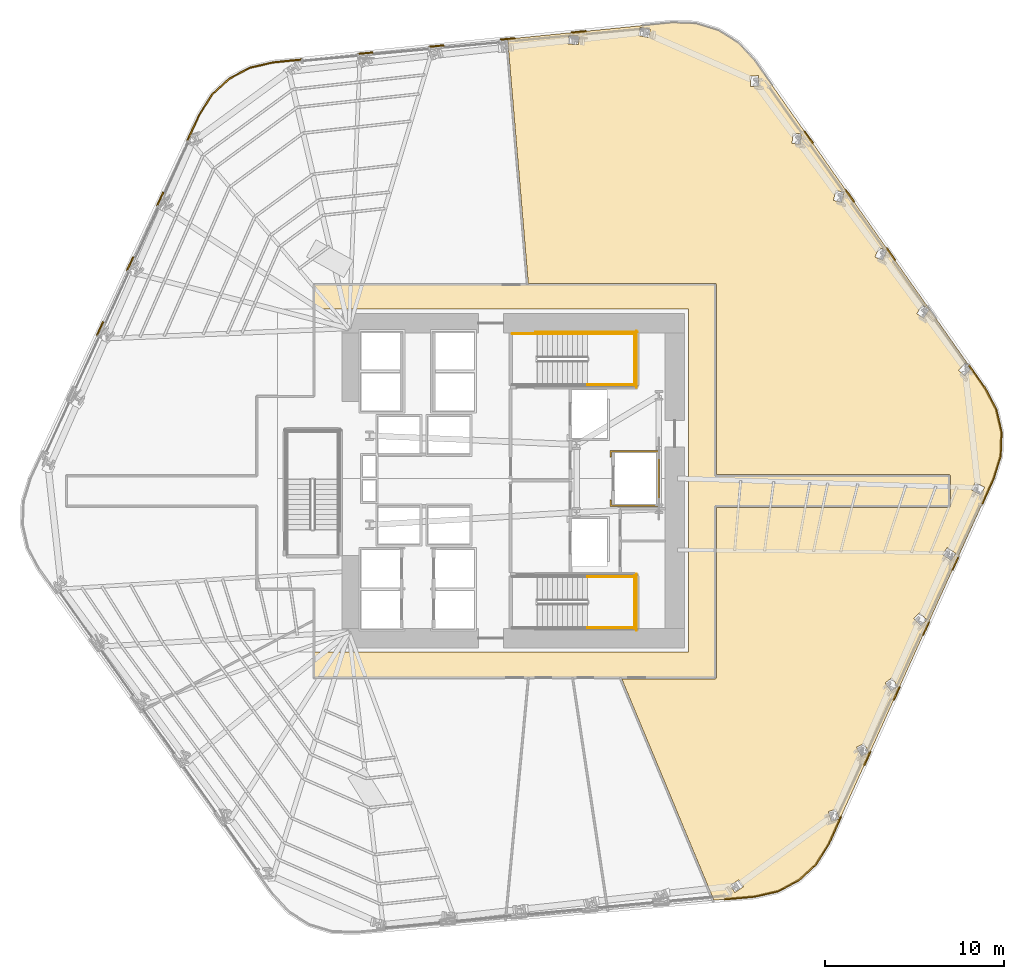
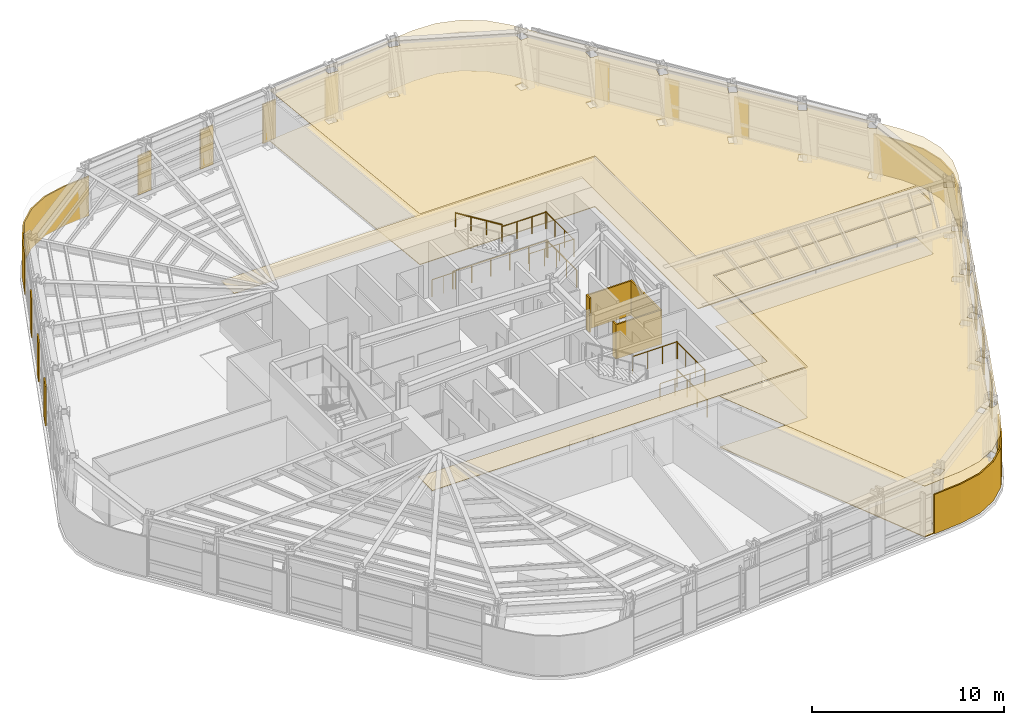
# One storey, part 14 of 16: 21 coverings, 11 railings.
"""IFC4 building model written with IfcOpenShell, lengths in metres."""

from ifc_helpers import new_model, si_unit, direction, frame, origin, origin_2d, place, context, subcontext, project, spatial, polyline, circle, outline, extrude, material, layer, layer_set, type_object, element, save


model = new_model("IFC4")

# Units and contexts
model_context = context("Model", 3, precision=1e-05, world=origin(), true_north=direction((0.0, 1.0)))
body_context = subcontext(model_context, "Body", "Model", "MODEL_VIEW")
ifc_project = project(units=[si_unit("LENGTHUNIT", "METRE"), si_unit("AREAUNIT", "SQUARE_METRE"), si_unit("VOLUMEUNIT", "CUBIC_METRE"), si_unit("PLANEANGLEUNIT", "RADIAN"), si_unit("MASSUNIT", "GRAM", prefix="KILO")], contexts=[model_context])

# Site, building, storey
site_placement = place(None, origin())
site = spatial("IfcSite", under=ifc_project, at=site_placement, CompositionType="ELEMENT")
building_placement = place(site_placement, origin())
building = spatial("IfcBuilding", under=site, at=building_placement, Name="Valkerne Bourse Tower", CompositionType="ELEMENT")
storey_placement = place(building_placement, frame((0.0, 0.0, 46.800048828125)))
storey = spatial("IfcBuildingStorey", under=building, at=storey_placement, Name="L11", CompositionType="ELEMENT", Elevation=46.800048828125)

# Coverings
ifc_material_1 = material(Name="Mineral Fiber Acoustic Ceiling Tile", Category="acoustic")
ifc_layer_1 = layer(ifc_material_1, 0.02490234375)
ifc_layer_set_1 = layer_set([ifc_layer_1], Name="Mineral Fiber Acoustic Ceiling Tile")
covering_type_1 = type_object("IfcCoveringType", Name="COV-CEIL-ACT", PredefinedType="CEILING", material=ifc_layer_set_1)
covering_1_placement = place(storey_placement, frame((0.0, 0.0, 3.22998046875)))
element("IfcCovering", 1, at=covering_1_placement, inside=storey, type_object=covering_type_1, Name="L11 Suspended Ceiling 07", PredefinedType="CEILING", context=body_context, shape_type="SweptSolid", body=[
    extrude(outline(polyline([(61.616455078125, 3.892822265625), (60.3212890625, 3.59619140625), (58.032958984375, 3.392333984375), (52.8759765625, 15.781005859375), (58.1005859375, 15.781005859375), (58.135009765625, 15.790283203125), (58.15966796875, 15.81494140625), (58.1689453125, 15.849609375), (58.1689453125, 25.381103515625), (71.2099609375, 25.381591796875), (71.2509765625, 25.403076171875), (71.268798828125, 25.446533203125), (71.265380859375, 27.1728515625), (71.24072265625, 27.205810546875), (71.20068359375, 27.218994140625), (58.1689453125, 27.218994140625), (58.1689453125, 37.850830078125), (58.151123046875, 37.896484375), (58.12890625, 37.91259765625), (58.100341796875, 37.9189453125), (47.642822265625, 37.9189453125), (46.485595703125, 51.60205078125), (55.6962890625, 52.522705078125), (57.024169921875, 52.47412109375), (58.285400390625, 52.086181640625), (59.403076171875, 51.385009765625), (60.3076171875, 50.41162109375), (72.333251953125, 33.295166015625), (72.11279296875, 33.48779296875), (71.7314453125, 33.056396484375), (71.732177734375, 33.052490234375), (72.0791015625, 32.749267578125), (72.434326171875, 33.15087890625), (73.2119140625, 32.04443359375), (73.833984375, 30.86962890625), (74.12841796875, 29.583251953125), (74.080078125, 28.2646484375), (73.689208984375, 26.993896484375), (64.455322265625, 6.5341796875), (63.749267578125, 5.40869140625), (62.78271484375, 4.510498046875), (61.616455078125, 3.892822265625)]), holes=[polyline([(50.476318359375, 51.75390625), (50.47265625, 51.75439453125), (49.8994140625, 51.78173828125), (49.876708984375, 51.319580078125), (49.88037109375, 51.319091796875), (50.45361328125, 51.291748046875), (50.476318359375, 51.75390625)]), polyline([(54.477783203125, 52.136474609375), (54.474365234375, 52.137451171875), (53.91162109375, 52.249755859375), (53.82080078125, 51.796142578125), (53.82421875, 51.794921875), (54.386962890625, 51.6826171875), (54.477783203125, 52.136474609375)]), polyline([(59.206787109375, 3.829833984375), (59.68310546875, 4.1494140625), (59.42578125, 4.533935546875), (59.422607421875, 4.531982421875), (58.946044921875, 4.21240234375), (59.20361328125, 3.827880859375), (59.206787109375, 3.829833984375)]), polyline([(65.056396484375, 7.951416015625), (65.059326171875, 7.953857421875), (64.87353515625, 8.49951171875), (64.43701171875, 8.35302734375), (64.43408203125, 8.350341796875), (64.6201171875, 7.8046875), (65.056396484375, 7.951416015625)]), polyline([(66.69970703125, 11.657958984375), (66.434814453125, 12.169921875), (66.02490234375, 11.959716796875), (66.022705078125, 11.956787109375), (66.28759765625, 11.445068359375), (66.697509765625, 11.655029296875), (66.69970703125, 11.657958984375)]), polyline([(68.332275390625, 15.366455078125), (68.333984375, 15.369384765625), (67.990234375, 15.832275390625), (67.619140625, 15.55908203125), (67.617431640625, 15.555908203125), (67.961181640625, 15.093017578125), (68.332275390625, 15.366455078125)]), polyline([(69.957763671875, 19.081787109375), (69.958984375, 19.085205078125), (69.54345703125, 19.48486328125), (69.22265625, 19.154052734375), (69.2216796875, 19.150634765625), (69.63720703125, 18.7509765625), (69.957763671875, 19.081787109375)]), polyline([(71.573974609375, 22.80029296875), (71.099609375, 23.127685546875), (70.836181640625, 22.75), (70.835693359375, 22.746337890625), (71.309814453125, 22.418701171875), (71.5732421875, 22.796630859375), (71.573974609375, 22.80029296875)]), polyline([(73.18017578125, 26.506591796875), (73.18017578125, 26.51025390625), (72.662353515625, 26.763427734375), (72.458251953125, 26.3505859375), (72.458251953125, 26.3466796875), (72.97607421875, 26.09375), (73.18017578125, 26.506591796875)]), polyline([(70.087890625, 36.46337890625), (69.699462890625, 36.7119140625), (69.386474609375, 36.228515625), (69.3876953125, 36.22509765625), (69.776123046875, 35.9765625), (70.089111328125, 36.460205078125), (70.087890625, 36.46337890625)]), polyline([(67.70751953125, 39.740966796875), (67.705810546875, 39.743896484375), (67.282470703125, 39.927001953125), (67.051513671875, 39.399169921875), (67.05322265625, 39.396240234375), (67.4765625, 39.213134765625), (67.70751953125, 39.740966796875)]), polyline([(65.31640625, 43.0185546875), (65.314208984375, 43.021240234375), (64.866455078125, 43.1318359375), (64.725830078125, 42.5732421875), (64.72802734375, 42.570556640625), (65.17578125, 42.4599609375), (65.31640625, 43.0185546875)]), polyline([(62.915771484375, 46.291259765625), (62.456298828125, 46.328369140625), (62.406982421875, 45.75439453125), (62.409912109375, 45.752197265625), (62.869384765625, 45.715087890625), (62.91845703125, 46.2890625), (62.915771484375, 46.291259765625)]), polyline([(60.554443359375, 48.97509765625), (60.517578125, 49.5498046875), (60.514404296875, 49.552001953125), (60.0546875, 49.52001953125), (60.09130859375, 48.9453125), (60.094482421875, 48.943115234375), (60.554443359375, 48.97509765625)])]), origin(), (0.0, 0.0, 1.0), 0.02490234375),
])
ifc_material_2 = material(Name="Bronze Anodised Aluminium AA 6063-T6", Category="aluminium")
ifc_layer_2 = layer(ifc_material_2, 0.030029296875)
ifc_layer_set_2 = layer_set([ifc_layer_2], Name="Bronze Anodised Aluminium AA 6063-T6")
covering_type_2 = type_object("IfcCoveringType", Name="COV-CEIL-METAL", PredefinedType="CEILING", material=ifc_layer_set_2)
covering_2_placement = place(storey_placement, frame((0.0, 0.0, 3.22998046875)))
element("IfcCovering", 2, at=covering_2_placement, inside=storey, type_object=covering_type_2, Name="L11 Suspended Ceiling 01", PredefinedType="CEILING", context=body_context, shape_type="SweptSolid", body=[
    extrude(outline(polyline([(71.196044921875, 27.14599609375), (71.196044921875, 25.4541015625), (58.095947265625, 25.4541015625), (58.095947265625, 15.85400390625), (35.654052734375, 15.85400390625), (35.654052734375, 17.300048828125), (56.60009765625, 17.300048828125), (56.60009765625, 36.5), (35.654052734375, 36.5), (35.654052734375, 37.845947265625), (58.095947265625, 37.845947265625), (58.095947265625, 27.14599609375), (71.196044921875, 27.14599609375)])), origin(), (0.0, 0.0, 1.0), 0.02490234375),
])
ifc_layer_3 = layer(ifc_material_2, 0.06005859375)
ifc_layer_set_3 = layer_set([ifc_layer_3], Name="Bronze Anodised Aluminium AA 6063-T6")
covering_type_3 = type_object("IfcCoveringType", Name="COV-CRN-ALUM", PredefinedType="CLADDING", material=ifc_layer_set_3)
covering_3_placement = place(storey_placement, origin())
element("IfcCovering", 3, at=covering_3_placement, inside=storey, type_object=covering_type_3, Name="L11 Wind-Shaped Corner Aluminium Cladding 01", PredefinedType="CLADDING", context=body_context, shape_type="SweptSolid", body=[
    extrude(outline(polyline([(63.783447265625, 5.38037109375), (62.808349609375, 4.47412109375), (61.6318359375, 3.851318359375), (60.328125, 3.552734375), (58.643310546875, 3.402587890625), (58.6357421875, 3.482421875), (60.315673828125, 3.6318359375), (61.603759765625, 3.927001953125), (62.761474609375, 4.5400390625), (63.72119140625, 5.431640625), (64.423583984375, 6.55126953125), (65.1171875, 8.08837890625), (65.18994140625, 8.05517578125), (64.494140625, 6.513427734375), (63.783447265625, 5.38037109375)])), origin(), (0.0, 0.0, 1.0), 2.5),
])
covering_4_placement = place(storey_placement, origin())
element("IfcCovering", 4, at=covering_4_placement, inside=storey, type_object=covering_type_3, Name="L11 Wind-Shaped Corner Aluminium Cladding 13", PredefinedType="CLADDING", context=body_context, shape_type="SweptSolid", body=[
    extrude(outline(polyline([(23.80859375, 35.790771484375), (23.88134765625, 35.757568359375), (23.527587890625, 34.99560546875), (23.45458984375, 35.02880859375), (23.80859375, 35.790771484375)])), origin(), (0.0, 0.0, 1.0), 2.5),
])
covering_5_placement = place(storey_placement, origin())
element("IfcCovering", 5, at=covering_5_placement, inside=storey, type_object=covering_type_3, Name="L11 Wind-Shaped Corner Aluminium Cladding 14", PredefinedType="CLADDING", context=body_context, shape_type="SweptSolid", body=[
    extrude(outline(polyline([(25.49169921875, 39.4150390625), (25.564208984375, 39.3818359375), (25.210693359375, 38.6201171875), (25.1376953125, 38.6533203125), (25.49169921875, 39.4150390625)])), origin(), (0.0, 0.0, 1.0), 2.5),
])
covering_6_placement = place(storey_placement, origin())
element("IfcCovering", 6, at=covering_6_placement, inside=storey, type_object=covering_type_3, Name="L11 Wind-Shaped Corner Aluminium Cladding 15", PredefinedType="CLADDING", context=body_context, shape_type="SweptSolid", body=[
    extrude(outline(polyline([(27.1748046875, 43.039306640625), (27.247314453125, 43.006103515625), (26.8935546875, 42.244384765625), (26.82080078125, 42.277587890625), (27.1748046875, 43.039306640625)])), origin(), (0.0, 0.0, 1.0), 2.5),
])
covering_7_placement = place(storey_placement, origin())
element("IfcCovering", 7, at=covering_7_placement, inside=storey, type_object=covering_type_3, Name="L11 Wind-Shaped Corner Aluminium Cladding 16", PredefinedType="CLADDING", context=body_context, shape_type="SweptSolid", body=[
    extrude(outline(polyline([(29.186767578125, 47.3720703125), (29.897705078125, 48.505615234375), (30.872802734375, 49.41162109375), (32.04931640625, 50.03466796875), (33.353515625, 50.333251953125), (34.96630859375, 50.49462890625), (34.973876953125, 50.414794921875), (33.366455078125, 50.254150390625), (32.077392578125, 49.958984375), (30.919677734375, 49.345947265625), (29.9599609375, 48.4541015625), (29.257080078125, 47.333740234375), (28.57666015625, 45.86865234375), (28.50390625, 45.90185546875), (29.186767578125, 47.3720703125)])), origin(), (0.0, 0.0, 1.0), 2.5),
])
covering_8_placement = place(storey_placement, origin())
element("IfcCovering", 8, at=covering_8_placement, inside=storey, type_object=covering_type_3, Name="L11 Wind-Shaped Corner Aluminium Cladding 17", PredefinedType="CLADDING", context=body_context, shape_type="SweptSolid", body=[
    extrude(outline(polyline([(38.942626953125, 50.89208984375), (38.9501953125, 50.8125), (38.114501953125, 50.72900390625), (38.10693359375, 50.80859375), (38.942626953125, 50.89208984375)])), origin(), (0.0, 0.0, 1.0), 2.5),
])
covering_9_placement = place(storey_placement, origin())
element("IfcCovering", 9, at=covering_9_placement, inside=storey, type_object=covering_type_3, Name="L11 Wind-Shaped Corner Aluminium Cladding 18", PredefinedType="CLADDING", context=body_context, shape_type="SweptSolid", body=[
    extrude(outline(polyline([(42.918701171875, 51.28955078125), (42.926513671875, 51.2099609375), (42.090576171875, 51.12646484375), (42.0830078125, 51.2060546875), (42.918701171875, 51.28955078125)])), origin(), (0.0, 0.0, 1.0), 2.5),
])
covering_10_placement = place(storey_placement, origin())
element("IfcCovering", 10, at=covering_10_placement, inside=storey, type_object=covering_type_3, Name="L11 Wind-Shaped Corner Aluminium Cladding 19", PredefinedType="CLADDING", context=body_context, shape_type="SweptSolid", body=[
    extrude(outline(polyline([(46.89501953125, 51.68701171875), (46.902587890625, 51.607421875), (46.06689453125, 51.52392578125), (46.059326171875, 51.603515625), (46.89501953125, 51.68701171875)])), origin(), (0.0, 0.0, 1.0), 2.5),
])
covering_11_placement = place(storey_placement, origin())
element("IfcCovering", 11, at=covering_11_placement, inside=storey, type_object=covering_type_3, Name="L11 Wind-Shaped Corner Aluminium Cladding 20", PredefinedType="CLADDING", context=body_context, shape_type="SweptSolid", body=[
    extrude(outline(polyline([(50.871337890625, 52.084716796875), (50.87890625, 52.0048828125), (50.043212890625, 51.92138671875), (50.03564453125, 52.001220703125), (50.871337890625, 52.084716796875)])), origin(), (0.0, 0.0, 1.0), 2.5),
])
covering_12_placement = place(storey_placement, origin())
element("IfcCovering", 12, at=covering_12_placement, inside=storey, type_object=covering_type_3, Name="L11 Wind-Shaped Corner Aluminium Cladding 22", PredefinedType="CLADDING", context=body_context, shape_type="SweptSolid", body=[
    extrude(outline(polyline([(63.611572265625, 45.78564453125), (63.54638671875, 45.7392578125), (63.0634765625, 46.426513671875), (63.128662109375, 46.472900390625), (63.611572265625, 45.78564453125)])), origin(), (0.0, 0.0, 1.0), 2.5),
])
covering_13_placement = place(storey_placement, origin())
element("IfcCovering", 13, at=covering_13_placement, inside=storey, type_object=covering_type_3, Name="L11 Wind-Shaped Corner Aluminium Cladding 23", PredefinedType="CLADDING", context=body_context, shape_type="SweptSolid", body=[
    extrude(outline(polyline([(65.90869140625, 42.515869140625), (65.843505859375, 42.469482421875), (65.360595703125, 43.15673828125), (65.42578125, 43.203125), (65.90869140625, 42.515869140625)])), origin(), (0.0, 0.0, 1.0), 2.5),
])
covering_14_placement = place(storey_placement, origin())
element("IfcCovering", 14, at=covering_14_placement, inside=storey, type_object=covering_type_3, Name="L11 Wind-Shaped Corner Aluminium Cladding 24", PredefinedType="CLADDING", context=body_context, shape_type="SweptSolid", body=[
    extrude(outline(polyline([(68.205810546875, 39.24609375), (68.140625, 39.19970703125), (67.65771484375, 39.88720703125), (67.722900390625, 39.933349609375), (68.205810546875, 39.24609375)])), origin(), (0.0, 0.0, 1.0), 2.5),
])
covering_15_placement = place(storey_placement, origin())
element("IfcCovering", 15, at=covering_15_placement, inside=storey, type_object=covering_type_3, Name="L11 Wind-Shaped Corner Aluminium Cladding 26", PredefinedType="CLADDING", context=body_context, shape_type="SweptSolid", body=[
    extrude(outline(polyline([(73.24951171875, 32.067626953125), (73.87548828125, 30.885009765625), (74.172607421875, 29.58740234375), (74.123779296875, 28.257080078125), (73.73046875, 26.978271484375), (73.063720703125, 25.5009765625), (72.990966796875, 25.5341796875), (73.655517578125, 27.006591796875), (74.044189453125, 28.270751953125), (74.09228515625, 29.579833984375), (73.7998046875, 30.85693359375), (73.180908203125, 32.025634765625), (72.252197265625, 33.34765625), (72.3173828125, 33.393798828125), (73.24951171875, 32.067626953125)])), origin(), (0.0, 0.0, 1.0), 2.5),
])
covering_16_placement = place(storey_placement, origin())
element("IfcCovering", 16, at=covering_16_placement, inside=storey, type_object=covering_type_3, Name="L11 Wind-Shaped Corner Aluminium Cladding 27", PredefinedType="CLADDING", context=body_context, shape_type="SweptSolid", body=[
    extrude(outline(polyline([(71.419921875, 21.858642578125), (71.34716796875, 21.891845703125), (71.692626953125, 22.657470703125), (71.765380859375, 22.624267578125), (71.419921875, 21.858642578125)])), origin(), (0.0, 0.0, 1.0), 2.5),
])
covering_17_placement = place(storey_placement, origin())
element("IfcCovering", 17, at=covering_17_placement, inside=storey, type_object=covering_type_3, Name="L11 Wind-Shaped Corner Aluminium Cladding 28", PredefinedType="CLADDING", context=body_context, shape_type="SweptSolid", body=[
    extrude(outline(polyline([(69.77587890625, 18.21630859375), (69.703125, 18.24951171875), (70.048828125, 19.01513671875), (70.12158203125, 18.98193359375), (69.77587890625, 18.21630859375)])), origin(), (0.0, 0.0, 1.0), 2.5),
])
covering_18_placement = place(storey_placement, origin())
element("IfcCovering", 18, at=covering_18_placement, inside=storey, type_object=covering_type_3, Name="L11 Wind-Shaped Corner Aluminium Cladding 29", PredefinedType="CLADDING", context=body_context, shape_type="SweptSolid", body=[
    extrude(outline(polyline([(68.132080078125, 14.573974609375), (68.059326171875, 14.607421875), (68.40478515625, 15.372802734375), (68.477783203125, 15.339599609375), (68.132080078125, 14.573974609375)])), origin(), (0.0, 0.0, 1.0), 2.5),
])
covering_19_placement = place(storey_placement, origin())
element("IfcCovering", 19, at=covering_19_placement, inside=storey, type_object=covering_type_3, Name="L11 Wind-Shaped Corner Aluminium Cladding 30", PredefinedType="CLADDING", context=body_context, shape_type="SweptSolid", body=[
    extrude(outline(polyline([(66.48828125, 10.931884765625), (66.41552734375, 10.965087890625), (66.760986328125, 11.730712890625), (66.833740234375, 11.697509765625), (66.48828125, 10.931884765625)])), origin(), (0.0, 0.0, 1.0), 2.5),
])
ifc_material_3 = material(Name="Galvanised Painted Steel", Category="steel")
ifc_layer_4 = layer(ifc_material_3, 0.044921875)
ifc_layer_set_4 = layer_set([ifc_layer_4], Name="Galvanised Painted Steel")
covering_type_4 = type_object("IfcCoveringType", Name="COV-FLR-RAF", PredefinedType="FLOORING", material=ifc_layer_set_4)
covering_20_placement = place(storey_placement, origin())
element("IfcCovering", 20, at=covering_20_placement, inside=storey, type_object=covering_type_4, Name="L11 Floor Finish 07", PredefinedType="FLOORING", context=body_context, shape_type="SweptSolid", body=[
    extrude(outline(polyline([(61.616455078125, 3.892822265625), (60.3212890625, 3.59619140625), (58.032958984375, 3.392333984375), (52.8759765625, 15.781005859375), (58.1005859375, 15.781005859375), (58.135009765625, 15.790283203125), (58.15966796875, 15.81494140625), (58.1689453125, 15.849609375), (58.1689453125, 25.381103515625), (71.2099609375, 25.381591796875), (71.2509765625, 25.403076171875), (71.268798828125, 25.446533203125), (71.265380859375, 27.1728515625), (71.24072265625, 27.205810546875), (71.20068359375, 27.218994140625), (58.1689453125, 27.218994140625), (58.1689453125, 37.850830078125), (58.151123046875, 37.896484375), (58.12890625, 37.91259765625), (58.100341796875, 37.9189453125), (47.642822265625, 37.9189453125), (46.485595703125, 51.60205078125), (55.6962890625, 52.522705078125), (57.024169921875, 52.47412109375), (58.285400390625, 52.086181640625), (59.403076171875, 51.385009765625), (60.3076171875, 50.41162109375), (72.333251953125, 33.295166015625), (72.11279296875, 33.48779296875), (71.7314453125, 33.056396484375), (71.732177734375, 33.052490234375), (72.0791015625, 32.749267578125), (72.434326171875, 33.15087890625), (73.2119140625, 32.04443359375), (73.833984375, 30.86962890625), (74.12841796875, 29.583251953125), (74.080078125, 28.2646484375), (73.689208984375, 26.993896484375), (64.455322265625, 6.5341796875), (63.749267578125, 5.40869140625), (62.78271484375, 4.510498046875), (61.616455078125, 3.892822265625)]), holes=[polyline([(50.476318359375, 51.75390625), (50.47265625, 51.75439453125), (49.8994140625, 51.78173828125), (49.876708984375, 51.319580078125), (49.88037109375, 51.319091796875), (50.45361328125, 51.291748046875), (50.476318359375, 51.75390625)]), polyline([(54.477783203125, 52.136474609375), (54.474365234375, 52.137451171875), (53.91162109375, 52.249755859375), (53.82080078125, 51.796142578125), (53.82421875, 51.794921875), (54.386962890625, 51.6826171875), (54.477783203125, 52.136474609375)]), polyline([(59.206787109375, 3.829833984375), (59.68310546875, 4.1494140625), (59.42578125, 4.533935546875), (59.422607421875, 4.531982421875), (58.946044921875, 4.21240234375), (59.20361328125, 3.827880859375), (59.206787109375, 3.829833984375)]), polyline([(65.056396484375, 7.951416015625), (65.059326171875, 7.953857421875), (64.87353515625, 8.49951171875), (64.43701171875, 8.35302734375), (64.43408203125, 8.350341796875), (64.6201171875, 7.8046875), (65.056396484375, 7.951416015625)]), polyline([(66.69970703125, 11.657958984375), (66.434814453125, 12.169921875), (66.02490234375, 11.959716796875), (66.022705078125, 11.956787109375), (66.28759765625, 11.445068359375), (66.697509765625, 11.655029296875), (66.69970703125, 11.657958984375)]), polyline([(68.332275390625, 15.366455078125), (68.333984375, 15.369384765625), (67.990234375, 15.832275390625), (67.619140625, 15.55908203125), (67.617431640625, 15.555908203125), (67.961181640625, 15.093017578125), (68.332275390625, 15.366455078125)]), polyline([(69.957763671875, 19.081787109375), (69.958984375, 19.085205078125), (69.54345703125, 19.48486328125), (69.22265625, 19.154052734375), (69.2216796875, 19.150634765625), (69.63720703125, 18.7509765625), (69.957763671875, 19.081787109375)]), polyline([(71.573974609375, 22.80029296875), (71.099609375, 23.127685546875), (70.836181640625, 22.75), (70.835693359375, 22.746337890625), (71.309814453125, 22.418701171875), (71.5732421875, 22.796630859375), (71.573974609375, 22.80029296875)]), polyline([(73.18017578125, 26.506591796875), (73.18017578125, 26.51025390625), (72.662353515625, 26.763427734375), (72.458251953125, 26.3505859375), (72.458251953125, 26.3466796875), (72.97607421875, 26.09375), (73.18017578125, 26.506591796875)]), polyline([(70.087890625, 36.46337890625), (69.699462890625, 36.7119140625), (69.386474609375, 36.228515625), (69.3876953125, 36.22509765625), (69.776123046875, 35.9765625), (70.089111328125, 36.460205078125), (70.087890625, 36.46337890625)]), polyline([(67.70751953125, 39.740966796875), (67.705810546875, 39.743896484375), (67.282470703125, 39.927001953125), (67.051513671875, 39.399169921875), (67.05322265625, 39.396240234375), (67.4765625, 39.213134765625), (67.70751953125, 39.740966796875)]), polyline([(65.31640625, 43.0185546875), (65.314208984375, 43.021240234375), (64.866455078125, 43.1318359375), (64.725830078125, 42.5732421875), (64.72802734375, 42.570556640625), (65.17578125, 42.4599609375), (65.31640625, 43.0185546875)]), polyline([(62.915771484375, 46.291259765625), (62.456298828125, 46.328369140625), (62.406982421875, 45.75439453125), (62.409912109375, 45.752197265625), (62.869384765625, 45.715087890625), (62.91845703125, 46.2890625), (62.915771484375, 46.291259765625)]), polyline([(60.554443359375, 48.97509765625), (60.517578125, 49.5498046875), (60.514404296875, 49.552001953125), (60.0546875, 49.52001953125), (60.09130859375, 48.9453125), (60.094482421875, 48.943115234375), (60.554443359375, 48.97509765625)])]), origin(), (0.0, 0.0, 1.0), 0.044921875),
])
ifc_material_4 = material(Name="Gypsum Shaftwall Liner Board", Category="gypsum")
ifc_layer_5 = layer(ifc_material_4, 0.080078125)
ifc_layer_set_5 = layer_set([ifc_layer_5], Name="Gypsum Shaftwall Liner Board")
covering_type_5 = type_object("IfcCoveringType", Name="COV-SHF-CLAD", PredefinedType="CLADDING", material=ifc_layer_set_5)
covering_21_placement = place(storey_placement, origin())
element("IfcCovering", 21, at=covering_21_placement, inside=storey, type_object=covering_type_5, Name="L11 Hoistway & Riser Shaftwall Liner 08", PredefinedType="CLADDING", context=body_context, shape_type="SweptSolid", body=[
    extrude(outline(polyline([(54.97998046875, 25.419921875), (52.219970703125, 25.419921875), (52.219970703125, 25.81787109375), (52.227783203125, 25.814208984375), (52.269287109375, 25.79931640625), (52.31005859375, 25.789306640625), (52.31005859375, 25.510009765625), (54.889892578125, 25.510009765625), (54.889892578125, 28.489990234375), (52.31005859375, 28.489990234375), (52.31005859375, 28.210693359375), (52.269287109375, 28.20068359375), (52.227783203125, 28.185791015625), (52.219970703125, 28.18212890625), (52.219970703125, 28.580078125), (54.97998046875, 28.580078125), (54.97998046875, 25.419921875)])), origin(), (0.0, 0.0, 1.0), 2.179931640625),
])

# Railings
railing_type_1 = type_object("IfcRailingType", Name="RLG-ST-GUARD-1120", PredefinedType="GUARDRAIL", material=ifc_material_3)
for number, where, name in (
    (22, (50.949951171875, 18.64990234375, 1.89990234375), "L11 ST-1 stair guard 3"),
    (23, (50.949951171875, 21.5, 1.89990234375), "L11 ST-1 stair guard 4"),
):
    element("IfcRailing", number, at=place(storey_placement, frame(where)), inside=storey, type_object=railing_type_1, Name=name, PredefinedType="GUARDRAIL", context=body_context, shape_type="SweptSolid", body=[
        extrude(circle(Radius=0.02392578125, at=origin_2d()), frame((0.0, 0.0, 1.09619140625), z_axis=(1.0, 0.0, 0.0), x_axis=(0.0, 1.0, 0.0)), (0.0, 0.0, 1.0), 2.699951171875),
        extrude(circle(Radius=0.02099609375, at=origin_2d()), origin(), (0.0, 0.0, 1.0), 1.072021484375),
        extrude(circle(Radius=0.02099609375, at=origin_2d()), frame((0.89990234375, 0.0, 0.0)), (0.0, 0.0, 1.0), 1.072021484375),
        extrude(circle(Radius=0.02099609375, at=origin_2d()), frame((1.800048828125, 0.0, 0.0)), (0.0, 0.0, 1.0), 1.072021484375),
        extrude(circle(Radius=0.02099609375, at=origin_2d()), frame((2.699951171875, 0.0, 0.0)), (0.0, 0.0, 1.0), 1.072021484375),
    ])
railing_1_placement = place(storey_placement, frame((53.60009765625, 18.60009765625, 1.89990234375)))
element("IfcRailing", 24, at=railing_1_placement, inside=storey, type_object=railing_type_1, Name="L11 ST-1 stair guard 5", PredefinedType="GUARDRAIL", context=body_context, shape_type="SweptSolid", body=[
    extrude(circle(Radius=0.02392578125, at=origin_2d()), frame((0.0, 0.0, 1.09619140625), z_axis=(0.0, 1.0, 0.0), x_axis=(-1.0, 0.0, 0.0)), (0.0, 0.0, 1.0), 2.949951171875),
    extrude(circle(Radius=0.02099609375, at=origin_2d()), origin(), (0.0, 0.0, 1.0), 1.072021484375),
    extrude(circle(Radius=0.02099609375, at=origin_2d()), frame((0.0, 0.9833984375, 0.0)), (0.0, 0.0, 1.0), 1.072021484375),
    extrude(circle(Radius=0.02099609375, at=origin_2d()), frame((0.0, 1.966552734375, 0.0)), (0.0, 0.0, 1.0), 1.072021484375),
    extrude(circle(Radius=0.02099609375, at=origin_2d()), frame((0.0, 2.949951171875, 0.0)), (0.0, 0.0, 1.0), 1.072021484375),
])
railing_2_placement = place(storey_placement, frame((53.699951171875, 18.5, 0.0)))
element("IfcRailing", 25, at=railing_2_placement, inside=storey, type_object=railing_type_1, Name="L11 ST-1 stair guard 12", PredefinedType="GUARDRAIL", context=body_context, shape_type="SweptSolid", body=[
    extrude(circle(Radius=0.02392578125, at=origin_2d()), frame((0.0, 0.0, 1.09619140625), z_axis=(0.0, 1.0, 0.0), x_axis=(-1.0, 0.0, 0.0)), (0.0, 0.0, 1.0), 3.14990234375),
    extrude(circle(Radius=0.02099609375, at=origin_2d()), origin(), (0.0, 0.0, 1.0), 1.072021484375),
    extrude(circle(Radius=0.02099609375, at=origin_2d()), frame((0.0, 1.050048828125, 0.0)), (0.0, 0.0, 1.0), 1.072021484375),
    extrude(circle(Radius=0.02099609375, at=origin_2d()), frame((0.0, 2.099853515625, 0.0)), (0.0, 0.0, 1.0), 1.072021484375),
    extrude(circle(Radius=0.02099609375, at=origin_2d()), frame((0.0, 3.14990234375, 0.0)), (0.0, 0.0, 1.0), 1.072021484375),
])
for number, where, name in (
    (26, (50.949951171875, 32.25, 1.89990234375), "L11 ST-2 stair guard 3"),
    (27, (50.949951171875, 35.10009765625, 1.89990234375), "L11 ST-2 stair guard 4"),
):
    element("IfcRailing", number, at=place(storey_placement, frame(where)), inside=storey, type_object=railing_type_1, Name=name, PredefinedType="GUARDRAIL", context=body_context, shape_type="SweptSolid", body=[
        extrude(circle(Radius=0.02392578125, at=origin_2d()), frame((0.0, 0.0, 1.09619140625), z_axis=(1.0, 0.0, 0.0), x_axis=(0.0, 1.0, 0.0)), (0.0, 0.0, 1.0), 2.699951171875),
        extrude(circle(Radius=0.02099609375, at=origin_2d()), origin(), (0.0, 0.0, 1.0), 1.072021484375),
        extrude(circle(Radius=0.02099609375, at=origin_2d()), frame((0.89990234375, 0.0, 0.0)), (0.0, 0.0, 1.0), 1.072021484375),
        extrude(circle(Radius=0.02099609375, at=origin_2d()), frame((1.800048828125, 0.0, 0.0)), (0.0, 0.0, 1.0), 1.072021484375),
        extrude(circle(Radius=0.02099609375, at=origin_2d()), frame((2.699951171875, 0.0, 0.0)), (0.0, 0.0, 1.0), 1.072021484375),
    ])
railing_3_placement = place(storey_placement, frame((53.60009765625, 32.199951171875, 1.89990234375)))
element("IfcRailing", 28, at=railing_3_placement, inside=storey, type_object=railing_type_1, Name="L11 ST-2 stair guard 5", PredefinedType="GUARDRAIL", context=body_context, shape_type="SweptSolid", body=[
    extrude(circle(Radius=0.02392578125, at=origin_2d()), frame((0.0, 0.0, 1.09619140625), z_axis=(0.0, 1.0, 0.0), x_axis=(-1.0, 0.0, 0.0)), (0.0, 0.0, 1.0), 2.949951171875),
    extrude(circle(Radius=0.02099609375, at=origin_2d()), origin(), (0.0, 0.0, 1.0), 1.072021484375),
    extrude(circle(Radius=0.02099609375, at=origin_2d()), frame((0.0, 0.9833984375, 0.0)), (0.0, 0.0, 1.0), 1.072021484375),
    extrude(circle(Radius=0.02099609375, at=origin_2d()), frame((0.0, 1.966552734375, 0.0)), (0.0, 0.0, 1.0), 1.072021484375),
    extrude(circle(Radius=0.02099609375, at=origin_2d()), frame((0.0, 2.949951171875, 0.0)), (0.0, 0.0, 1.0), 1.072021484375),
])
railing_4_placement = place(storey_placement, frame((46.75, 35.10009765625, 0.0)))
element("IfcRailing", 29, at=railing_4_placement, inside=storey, type_object=railing_type_1, Name="L11 ST-2 stair guard 9", PredefinedType="GUARDRAIL", context=body_context, shape_type="SweptSolid", body=[
    extrude(circle(Radius=0.02392578125, at=origin_2d()), frame((0.0, 0.0, 1.09619140625), z_axis=(1.0, 0.0, 0.0), x_axis=(0.0, 1.0, 0.0)), (0.0, 0.0, 1.0), 1.39990234375),
    extrude(circle(Radius=0.02099609375, at=origin_2d()), origin(), (0.0, 0.0, 1.0), 1.072021484375),
    extrude(circle(Radius=0.02099609375, at=origin_2d()), frame((0.699951171875, 0.0, 0.0)), (0.0, 0.0, 1.0), 1.072021484375),
    extrude(circle(Radius=0.02099609375, at=origin_2d()), frame((1.39990234375, 0.0, 0.0)), (0.0, 0.0, 1.0), 1.072021484375),
])
railing_5_placement = place(storey_placement, frame((48.050048828125, 35.199951171875, 0.0)))
element("IfcRailing", 30, at=railing_5_placement, inside=storey, type_object=railing_type_1, Name="L11 ST-2 stair guard 11", PredefinedType="GUARDRAIL", context=body_context, shape_type="SweptSolid", body=[
    extrude(circle(Radius=0.02392578125, at=origin_2d()), frame((0.0, 0.0, 1.09619140625), z_axis=(1.0, 0.0, 0.0), x_axis=(0.0, 1.0, 0.0)), (0.0, 0.0, 1.0), 5.699951171875),
    extrude(circle(Radius=0.02099609375, at=origin_2d()), origin(), (0.0, 0.0, 1.0), 1.072021484375),
    extrude(circle(Radius=0.02099609375, at=origin_2d()), frame((1.139892578125, 0.0, 0.0)), (0.0, 0.0, 1.0), 1.072021484375),
    extrude(circle(Radius=0.02099609375, at=origin_2d()), frame((2.280029296875, 0.0, 0.0)), (0.0, 0.0, 1.0), 1.072021484375),
    extrude(circle(Radius=0.02099609375, at=origin_2d()), frame((3.419921875, 0.0, 0.0)), (0.0, 0.0, 1.0), 1.072021484375),
    extrude(circle(Radius=0.02099609375, at=origin_2d()), frame((4.56005859375, 0.0, 0.0)), (0.0, 0.0, 1.0), 1.072021484375),
    extrude(circle(Radius=0.02099609375, at=origin_2d()), frame((5.699951171875, 0.0, 0.0)), (0.0, 0.0, 1.0), 1.072021484375),
])
railing_6_placement = place(storey_placement, frame((53.699951171875, 32.10009765625, 0.0)))
element("IfcRailing", 31, at=railing_6_placement, inside=storey, type_object=railing_type_1, Name="L11 ST-2 stair guard 12", PredefinedType="GUARDRAIL", context=body_context, shape_type="SweptSolid", body=[
    extrude(circle(Radius=0.02392578125, at=origin_2d()), frame((0.0, 0.0, 1.09619140625), z_axis=(0.0, 1.0, 0.0), x_axis=(-1.0, 0.0, 0.0)), (0.0, 0.0, 1.0), 3.14990234375),
    extrude(circle(Radius=0.02099609375, at=origin_2d()), origin(), (0.0, 0.0, 1.0), 1.072021484375),
    extrude(circle(Radius=0.02099609375, at=origin_2d()), frame((0.0, 1.050048828125, 0.0)), (0.0, 0.0, 1.0), 1.072021484375),
    extrude(circle(Radius=0.02099609375, at=origin_2d()), frame((0.0, 2.099853515625, 0.0)), (0.0, 0.0, 1.0), 1.072021484375),
    extrude(circle(Radius=0.02099609375, at=origin_2d()), frame((0.0, 3.14990234375, 0.0)), (0.0, 0.0, 1.0), 1.072021484375),
])
ifc_material_5 = material(Name="Stainless Steel AISI 316", Category="steel")
railing_type_2 = type_object("IfcRailingType", Name="RLG-ST-HANDRAIL-900", PredefinedType="HANDRAIL", material=ifc_material_5)
railing_7_placement = place(storey_placement, frame((50.949951171875, 35.10009765625, 2.245361328125)))
element("IfcRailing", 32, at=railing_7_placement, inside=storey, type_object=railing_type_2, Name="L11 ST-2 stair handrail 2", PredefinedType="HANDRAIL", context=body_context, shape_type="SweptSolid", body=[
    extrude(circle(Radius=0.02392578125, at=origin_2d()), frame((0.0, 0.0, 0.8759765625), z_axis=(-0.851089632645, 0.0, 0.525020415988), x_axis=(0.0, -1.0, 0.0)), (0.0, 0.0, 1.0), 3.2900390625),
    extrude(circle(Radius=0.02099609375, at=origin_2d()), origin(), (0.0, 0.0, 1.0), 0.851806640625),
    extrude(circle(Radius=0.02099609375, at=origin_2d()), frame((-0.933349609375, 0.0, 0.57568359375)), (0.0, 0.0, 1.0), 0.851806640625),
    extrude(circle(Radius=0.02099609375, at=origin_2d()), frame((-1.86669921875, 0.0, 1.151611328125)), (0.0, 0.0, 1.0), 0.851806640625),
    extrude(circle(Radius=0.02099609375, at=origin_2d()), frame((-2.800048828125, 0.0, 1.727294921875)), (0.0, 0.0, 1.0), 0.851806640625),
])

save(model, "model.ifc")
